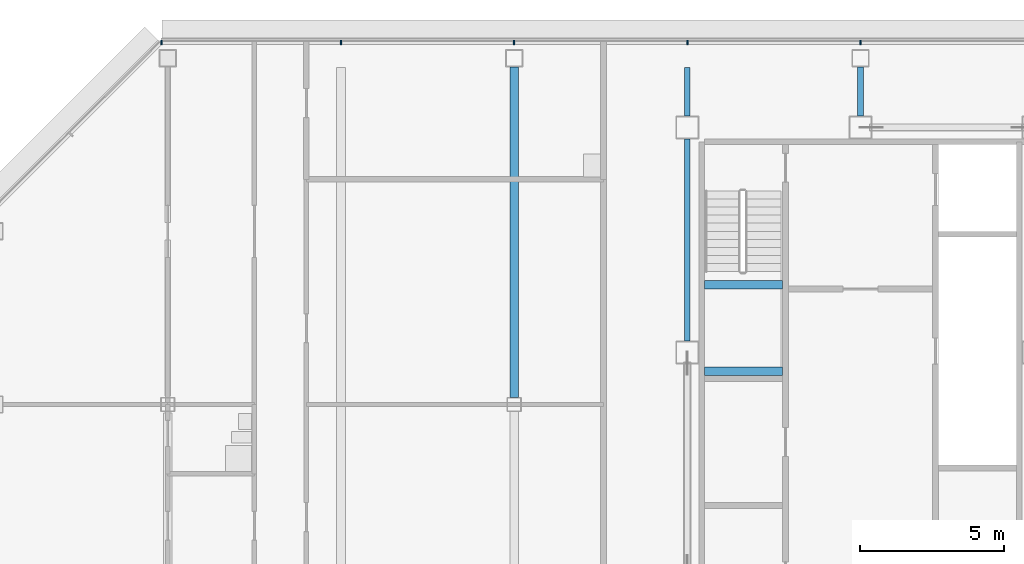
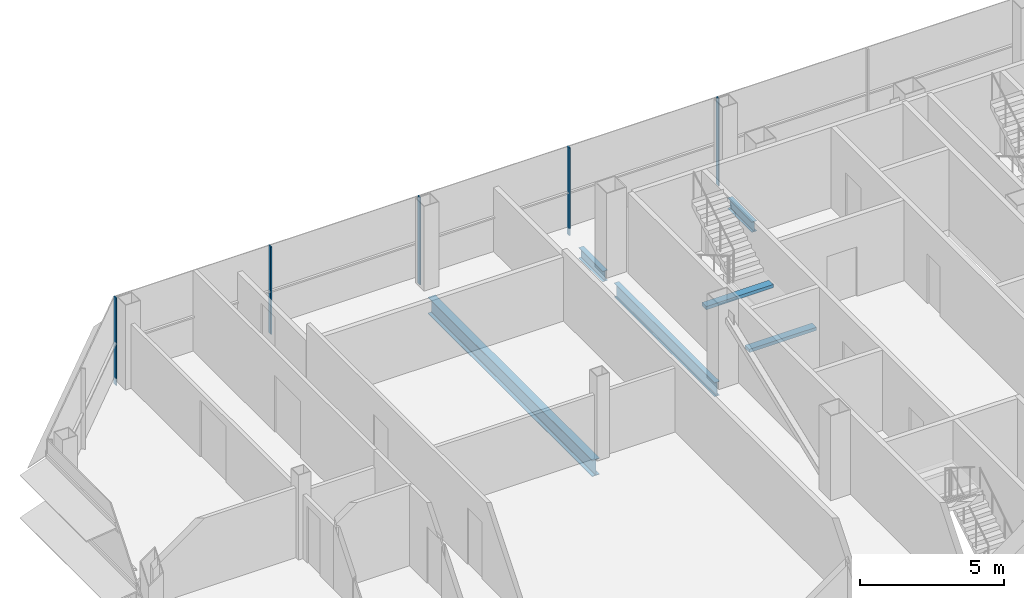
# One storey, part 12 of 28: 6 beams, 5 members, 1 element without a shape of its own.
"""IFC4 building model written with IfcOpenShell, lengths in metres."""

from ifc_helpers import new_model, si_unit, direction, frame, origin, origin_2d, place, context, subcontext, project, spatial, rectangle, i_section, extrude, material, material_profile, profile_set, type_object, element, aggregate, save


model = new_model("IFC4")

# Units and contexts
model_context = context("Model", 3, precision=1e-05, world=origin(), true_north=direction((0.0, 1.0)))
body_context = subcontext(model_context, "Body", "Model", "MODEL_VIEW")
ifc_project = project(units=[si_unit("LENGTHUNIT", "METRE"), si_unit("AREAUNIT", "SQUARE_METRE"), si_unit("VOLUMEUNIT", "CUBIC_METRE"), si_unit("PLANEANGLEUNIT", "RADIAN"), si_unit("MASSUNIT", "GRAM", prefix="KILO")], contexts=[model_context])

# Site, building, storey
site_placement = place(None, origin())
site = spatial("IfcSite", under=ifc_project, at=site_placement, CompositionType="ELEMENT")
building_placement = place(site_placement, origin())
building = spatial("IfcBuilding", under=site, at=building_placement, Name="Sorahane Residences", CompositionType="ELEMENT")
storey_placement = place(building_placement, frame((0.0, 0.0, 290.800048828125)))
storey = spatial("IfcBuildingStorey", under=building, at=storey_placement, Name="L68", CompositionType="ELEMENT", Elevation=290.800048828125)

# Curtain wall, members
ifc_material_1 = material(Name="Dark low-e glass and black anodised aluminium", Category="aluminium")
curtain_wall_type = type_object("IfcCurtainWallType", Name="Curtain wall CW-1 Typical unitised wall", PredefinedType="NOTDEFINED", material=ifc_material_1)
curtain_wall_placement = place(storey_placement, origin())
curtain_wall = element("IfcCurtainWall", 1, at=curtain_wall_placement, inside=storey, type_object=curtain_wall_type, Name="CW-1 curtain wall L68 N1", PredefinedType="NOTDEFINED")
ifc_material_2 = material(Name="Black anodised aluminium", Category="aluminium")
ifc_material_profile_1 = material_profile(ifc_material_2, rectangle(XDim=0.159912109375, YDim=0.050048828125, at=origin_2d()), Name="Curtain wall mullion CW-1 black anodised aluminium 50x160")
ifc_profile_set_1 = profile_set([ifc_material_profile_1], Name="Black anodised aluminium")
member_type = type_object("IfcMemberType", Name="Curtain wall mullion CW-1 black anodised aluminium 50x160", PredefinedType="MULLION", material=ifc_profile_set_1)
member_1_placement = place(storey_placement, frame((12.0, 48.5400390625, -0.300048828125), z_axis=(0.0, 0.0, 1.0), x_axis=(0.0, 1.0, 0.0)))
member_1 = element("IfcMember", 2, at=member_1_placement, type_object=member_type, Name="CW-1 mullion L68 N1.6", PredefinedType="MULLION", context=body_context, shape_type="SweptSolid", body=[
    extrude(rectangle(XDim=0.159912109375, YDim=0.050048828125, at=origin_2d()), origin(), (0.0, 0.0, 1.0), 3.719970703125),
])
member_2_placement = place(storey_placement, frame((6.0, 48.5400390625, -0.300048828125), z_axis=(0.0, 0.0, 1.0), x_axis=(0.0, 1.0, 0.0)))
member_2 = element("IfcMember", 3, at=member_2_placement, type_object=member_type, Name="CW-1 mullion L68 N1.7", PredefinedType="MULLION", context=body_context, shape_type="SweptSolid", body=[
    extrude(rectangle(XDim=0.159912109375, YDim=0.050048828125, at=origin_2d()), origin(), (0.0, 0.0, 1.0), 3.719970703125),
])
member_3_placement = place(storey_placement, frame((0.0, 48.5400390625, -0.300048828125), z_axis=(0.0, 0.0, 1.0), x_axis=(0.0, 1.0, 0.0)))
member_3 = element("IfcMember", 4, at=member_3_placement, type_object=member_type, Name="CW-1 mullion L68 N1.8", PredefinedType="MULLION", context=body_context, shape_type="SweptSolid", body=[
    extrude(rectangle(XDim=0.159912109375, YDim=0.050048828125, at=origin_2d()), origin(), (0.0, 0.0, 1.0), 3.719970703125),
])
member_4_placement = place(storey_placement, frame((-6.0, 48.5400390625, -0.300048828125), z_axis=(0.0, 0.0, 1.0), x_axis=(0.0, 1.0, 0.0)))
member_4 = element("IfcMember", 5, at=member_4_placement, type_object=member_type, Name="CW-1 mullion L68 N1.9", PredefinedType="MULLION", context=body_context, shape_type="SweptSolid", body=[
    extrude(rectangle(XDim=0.159912109375, YDim=0.050048828125, at=origin_2d()), origin(), (0.0, 0.0, 1.0), 3.719970703125),
])
member_5_placement = place(storey_placement, frame((-12.2236328125, 48.5400390625, -0.300048828125), z_axis=(0.0, 0.0, 1.0), x_axis=(0.0, 1.0, 0.0)))
member_5 = element("IfcMember", 6, at=member_5_placement, type_object=member_type, Name="CW-1 mullion L68 N1.10", PredefinedType="MULLION", context=body_context, shape_type="SweptSolid", body=[
    extrude(rectangle(XDim=0.159912109375, YDim=0.050048828125, at=origin_2d()), origin(), (0.0, 0.0, 1.0), 3.719970703125),
])
aggregate(curtain_wall, [member_1, member_2, member_3, member_4, member_5])

# Beams
ifc_material_3 = material(Name="Concrete C40", Category="concrete")
ifc_material_profile_2 = material_profile(ifc_material_3, rectangle(XDim=0.300048828125, YDim=0.139892578125, at=origin_2d()), Name="300x140")
ifc_profile_set_2 = profile_set([ifc_material_profile_2], Name="Concrete C40")
beam_type_1 = type_object("IfcBeamType", Name="RC landing beam 300 x 140 Concrete C40", PredefinedType="BEAM", material=ifc_profile_set_2)
for number, where, z_axis, x_axis, name in (
    (7, (6.60009765625, 37.14990234375, 1.530029296875), (1.0, 0.0, 0.0), (0.0, 1.0, 0.0), "Landing beam"),
    (8, (6.60009765625, 40.14990234375, 1.530029296875), (1.0, 0.0, 0.0), (0.0, 1.0, 0.0), "Landing beam"),
):
    element("IfcBeam", number, at=place(storey_placement, frame(where, z_axis=z_axis, x_axis=x_axis)), inside=storey, type_object=beam_type_1, Name=name, PredefinedType="BEAM", context=body_context, shape_type="SweptSolid", body=[
        extrude(rectangle(XDim=0.300048828125, YDim=0.139892578125, at=origin_2d()), origin(), (0.0, 0.0, 1.0), 2.699951171875),
    ])
ifc_material_4 = material(Name="Steel Q355B", Category="steel")
ifc_material_profile_3 = material_profile(ifc_material_4, i_section(OverallWidth=0.199951171875, OverallDepth=0.449951171875, WebThickness=0.009033203125, FlangeThickness=0.013916015625, FilletRadius=0.02001953125, at=origin_2d()), Name="HN 450x200x9x14")
ifc_profile_set_3 = profile_set([ifc_material_profile_3], Name="Steel Q355B")
beam_type_2 = type_object("IfcBeamType", Name="Steel floor beam HN 450x200x9x14 Q355B", PredefinedType="BEAM", material=ifc_profile_set_3)
beam_1_placement = place(storey_placement, frame((6.0, 46.0, -0.525146484375), z_axis=(0.0, 1.0, 0.0), x_axis=(-1.0, 0.0, 0.0)))
element("IfcBeam", 9, at=beam_1_placement, inside=storey, type_object=beam_type_2, Name="Beam L68 021", PredefinedType="BEAM", context=body_context, shape_type="SweptSolid", body=[
    extrude(i_section(OverallWidth=0.199951171875, OverallDepth=0.449951171875, WebThickness=0.009033203125, FlangeThickness=0.013916015625, FilletRadius=0.02001953125, at=origin_2d()), origin(), (0.0, 0.0, 1.0), 1.675048828125),
])
beam_2_placement = place(storey_placement, frame((12.0, 46.0, -0.525146484375), z_axis=(0.0, 1.0, 0.0), x_axis=(-1.0, 0.0, 0.0)))
element("IfcBeam", 10, at=beam_2_placement, inside=storey, type_object=beam_type_2, Name="Beam L68 024", PredefinedType="BEAM", context=body_context, shape_type="SweptSolid", body=[
    extrude(i_section(OverallWidth=0.199951171875, OverallDepth=0.449951171875, WebThickness=0.009033203125, FlangeThickness=0.013916015625, FilletRadius=0.02001953125, at=origin_2d()), origin(), (0.0, 0.0, 1.0), 1.699951171875),
])
ifc_material_5 = material(Name="Steel Q355B", Category="steel")
ifc_material_profile_4 = material_profile(ifc_material_5, i_section(OverallWidth=0.199951171875, OverallDepth=0.60009765625, WebThickness=0.010986328125, FlangeThickness=0.01708984375, FilletRadius=0.02392578125, at=origin_2d()), Name="HN 600x200x11x17")
ifc_profile_set_4 = profile_set([ifc_material_profile_4], Name="Steel Q355B")
beam_type_3 = type_object("IfcBeamType", Name="Steel floor beam HN 600x200x11x17 Q355B", PredefinedType="BEAM", material=ifc_profile_set_4)
beam_3_placement = place(storey_placement, frame((6.0, 38.199951171875, -0.60009765625), z_axis=(0.0, 1.0, 0.0), x_axis=(-1.0, 0.0, 0.0)))
element("IfcBeam", 11, at=beam_3_placement, inside=storey, type_object=beam_type_3, Name="Beam L68 020", PredefinedType="BEAM", context=body_context, shape_type="SweptSolid", body=[
    extrude(i_section(OverallWidth=0.199951171875, OverallDepth=0.60009765625, WebThickness=0.010986328125, FlangeThickness=0.01708984375, FilletRadius=0.02392578125, at=origin_2d()), origin(), (0.0, 0.0, 1.0), 7.0),
])
ifc_material_6 = material(Name="Steel Q355B", Category="steel")
ifc_material_profile_5 = material_profile(ifc_material_6, i_section(OverallWidth=0.300048828125, OverallDepth=0.699951171875, WebThickness=0.012939453125, FlangeThickness=0.02392578125, FilletRadius=0.028076171875, at=origin_2d()), Name="HN 700x300x13x24")
ifc_profile_set_5 = profile_set([ifc_material_profile_5], Name="Steel Q355B")
beam_type_4 = type_object("IfcBeamType", Name="Steel floor beam HN 700x300x13x24 Q355B", PredefinedType="BEAM", material=ifc_profile_set_5)
beam_4_placement = place(storey_placement, frame((0.0, 36.25, -0.650146484375), z_axis=(0.0, 1.0, 0.0), x_axis=(-1.0, 0.0, 0.0)))
element("IfcBeam", 12, at=beam_4_placement, inside=storey, type_object=beam_type_4, Name="Beam L68 014", PredefinedType="BEAM", context=body_context, shape_type="SweptSolid", body=[
    extrude(i_section(OverallWidth=0.300048828125, OverallDepth=0.699951171875, WebThickness=0.012939453125, FlangeThickness=0.02392578125, FilletRadius=0.028076171875, at=origin_2d()), origin(), (0.0, 0.0, 1.0), 11.449951171875),
])

save(model, "model.ifc")
